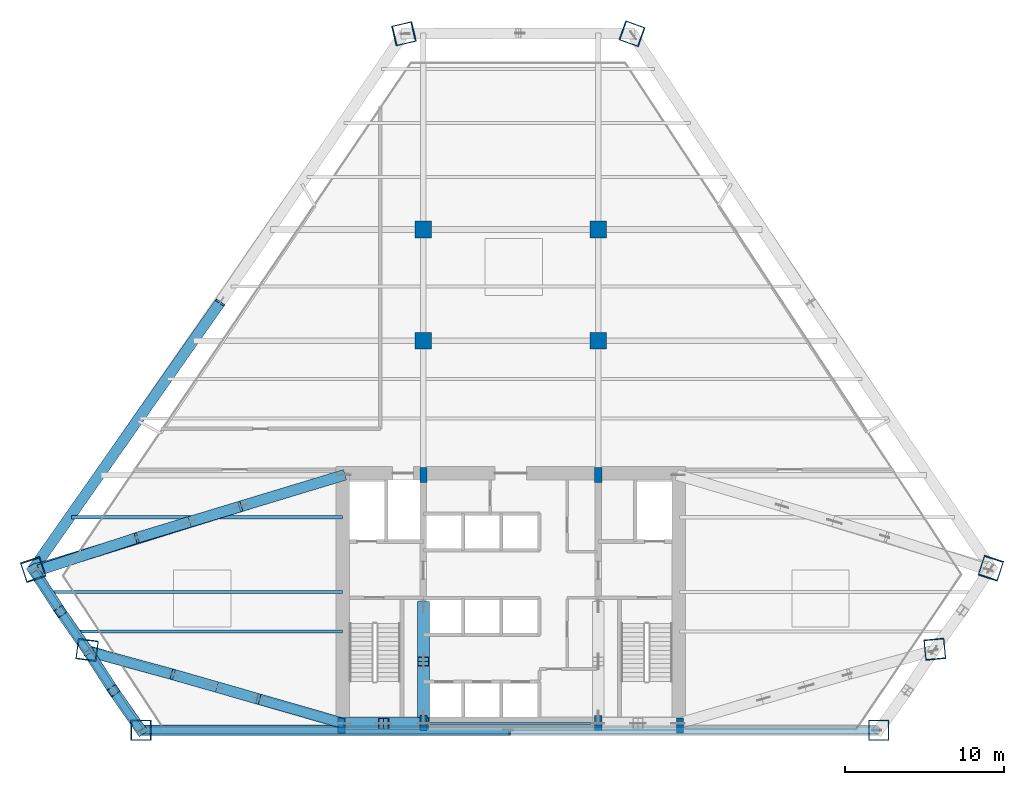
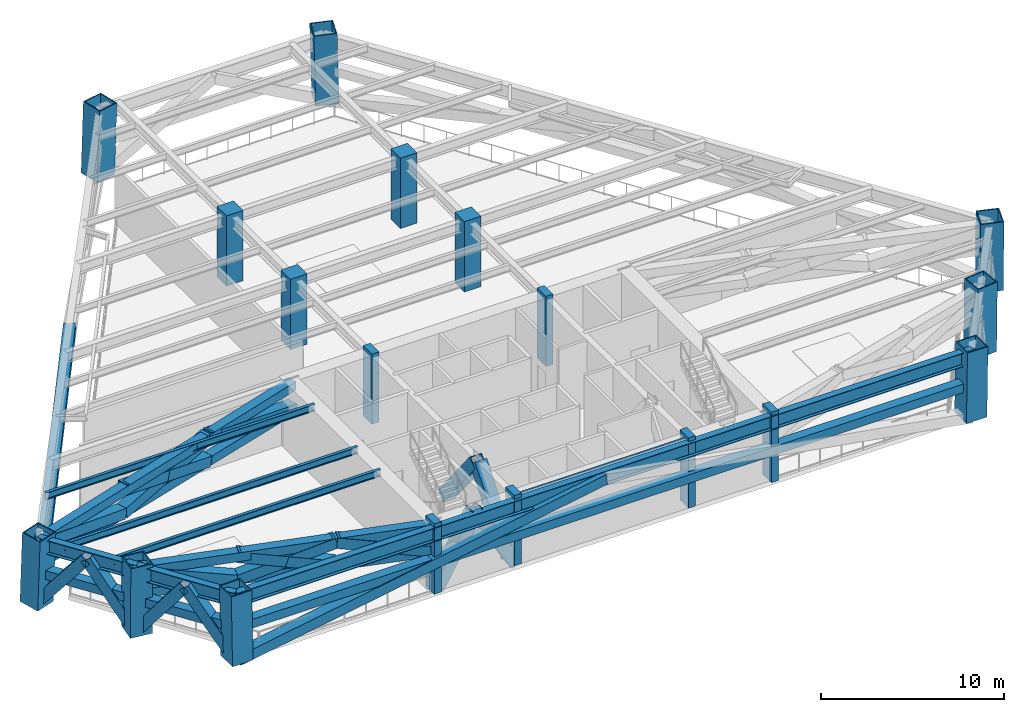
# One storey, part 1 of 10: 27 members, 18 columns, 7 beams.
"""IFC4 building model written with IfcOpenShell, lengths in metres."""

from ifc_helpers import new_model, si_unit, direction, frame, origin, origin_2d, place, context, subcontext, project, spatial, rectangle, hollow_rectangle, i_section, extrude, source, transform, mapped, material, material_profile, profile_set, type_object, type_shapes, element, save


model = new_model("IFC4")

# Units and contexts
model_context = context("Model", 3, precision=1e-05, world=origin(), true_north=direction((0.0, 1.0)))
body_context = subcontext(model_context, "Body", "Model", "MODEL_VIEW")
ifc_project = project(units=[si_unit("LENGTHUNIT", "METRE"), si_unit("AREAUNIT", "SQUARE_METRE"), si_unit("VOLUMEUNIT", "CUBIC_METRE"), si_unit("PLANEANGLEUNIT", "RADIAN"), si_unit("MASSUNIT", "GRAM", prefix="KILO")], contexts=[model_context])

# Site, building, storey
site_placement = place(None, origin())
site = spatial("IfcSite", under=ifc_project, at=site_placement, CompositionType="ELEMENT")
building_placement = place(site_placement, origin())
building = spatial("IfcBuilding", under=site, at=building_placement, Name="Varnakhor Terracotta Tower", CompositionType="ELEMENT")
storey_placement = place(building_placement, frame((0.0, 0.0, 71.89990234375)))
storey = spatial("IfcBuildingStorey", under=building, at=storey_placement, Name="L17", CompositionType="ELEMENT", Elevation=71.89990234375)

# Columns
ifc_material_1 = material(Name="Concrete C50/60", Category="concrete")
ifc_material_profile_1 = material_profile(ifc_material_1, rectangle(XDim=0.449951171875, YDim=0.949951171875, at=origin_2d()), Name="RC PILASTER 950x450")
ifc_profile_set_1 = profile_set([ifc_material_profile_1], Name="Concrete C50/60")
column_type_1 = type_object("IfcColumnType", Name="COL-PIL-950x450", PredefinedType="PILASTER", material=ifc_profile_set_1)
shared_shape_1 = source(origin(), body_context, "Body", "SweptSolid", [
    extrude(rectangle(XDim=0.449951171875, YDim=0.949951171875, at=origin_2d()), origin(), (0.0, 0.0, 1.0), 4.7001953125),
])
for number, where, z_axis, x_axis, name in (
    (1, (-10.64990234375, 0.300048828125, 0.0), (0.0, 0.0, 1.0), (1.0, 0.0, 0.0), "L17 Core Pilaster CP1"),
    (2, (-5.5, 0.449951171875, 0.0), (0.0, 0.0, 1.0), (1.0, 0.0, 0.0), "L17 Core Pilaster CP2"),
    (3, (5.5, 0.449951171875, 0.0), (0.0, 0.0, 1.0), (1.0, 0.0, 0.0), "L17 Core Pilaster CP3"),
    (4, (10.64990234375, 0.300048828125, 0.0), (0.0, 0.0, 1.0), (1.0, 0.0, 0.0), "L17 Core Pilaster CP4"),
    (5, (-5.5, 16.050048828125, 0.0), (0.0, 0.0, 1.0), (1.0, 0.0, 0.0), "L17 Core Pilaster CP5"),
    (6, (5.5, 16.050048828125, 0.0), (0.0, 0.0, 1.0), (1.0, 0.0, 0.0), "L17 Core Pilaster CP6"),
):
    element("IfcColumn", number, at=place(storey_placement, frame(where, z_axis=z_axis, x_axis=x_axis)), inside=storey, type_object=column_type_1, Name=name, PredefinedType="PILASTER", context=body_context, shape_type="MappedRepresentation", body=[
        mapped(shared_shape_1, transform((0.0, 0.0, 0.0), scale=1.0)),
    ])
ifc_material_2 = material(Name="Steel S460", Category="steel")
ifc_material_profile_2 = material_profile(ifc_material_2, hollow_rectangle(XDim=1.300048828125, YDim=1.300048828125, WallThickness=0.06494140625, at=origin_2d()), Name="BOX 1300x1300x65")
ifc_profile_set_2 = profile_set([ifc_material_profile_2], Name="Steel S460")
column_type_2 = type_object("IfcColumnType", Name="COL-MEGA-1300", PredefinedType="COLUMN", material=ifc_profile_set_2)
shared_shape_2 = source(origin(), body_context, "Body", "SweptSolid", [
    extrude(hollow_rectangle(XDim=1.300048828125, YDim=1.300048828125, WallThickness=0.06494140625, at=origin_2d()), origin(), (0.0, 0.0, 1.0), 4.692138671875),
])
for number, where, z_axis, x_axis, name in (
    (7, (-23.248291015625, 0.0, 0.00439453125), (-0.016182310418, 0.0, 0.999869057842), (0.0, -1.0, 0.0), "L17 Perimeter Mega-Column M1"),
    (8, (26.66796875, 5.105224609375, 0.00439453125), (0.001560990035, -0.016286329365, 0.999866150435), (0.995438117406, 0.095409404224, 0.0), "L17 Perimeter Mega-Column M3"),
    (9, (-26.649169921875, 5.063720703125, 0.00439453125), (-0.002341444744, -0.017222626898, 0.99984893797), (0.990884737066, -0.134712426489, 0.0), "L17 Perimeter Mega-Column M8"),
):
    element("IfcColumn", number, at=place(storey_placement, frame(where, z_axis=z_axis, x_axis=x_axis)), inside=storey, type_object=column_type_2, Name=name, PredefinedType="COLUMN", context=body_context, shape_type="MappedRepresentation", body=[
        mapped(shared_shape_2, transform((0.0, 0.0, 0.0), scale=1.0)),
    ])
shared_shape_3 = source(origin(), body_context, "Body", "SweptSolid", [
    extrude(hollow_rectangle(XDim=1.300048828125, YDim=1.300048828125, WallThickness=0.06494140625, at=origin_2d()), origin(), (0.0, 0.0, 1.0), 4.69189453125),
])
column_1_placement = place(storey_placement, frame((23.135009765625, 0.0, 0.00439453125), z_axis=(0.01373725483, 0.0, 0.999905639463), x_axis=(0.0, 1.0, 0.0)))
element("IfcColumn", 10, at=column_1_placement, inside=storey, type_object=column_type_2, Name="L17 Perimeter Mega-Column M2", PredefinedType="COLUMN", context=body_context, shape_type="MappedRepresentation", body=[
    mapped(shared_shape_3, transform((0.0, 0.0, 0.0), scale=1.0)),
])
shared_shape_4 = source(origin(), body_context, "Body", "SweptSolid", [
    extrude(hollow_rectangle(XDim=1.300048828125, YDim=1.300048828125, WallThickness=0.06494140625, at=origin_2d()), origin(), (0.0, 0.0, 1.0), 4.694091796875),
])
column_2_placement = place(storey_placement, frame((30.20068359375, 10.210205078125, 0.00439453125), z_axis=(-0.010609927191, -0.032557913833, 0.999413533875), x_axis=(0.950788214242, -0.309841526686, 0.0)))
element("IfcColumn", 11, at=column_2_placement, inside=storey, type_object=column_type_2, Name="L17 Perimeter Mega-Column M4", PredefinedType="COLUMN", context=body_context, shape_type="MappedRepresentation", body=[
    mapped(shared_shape_4, transform((0.0, 0.0, 0.0), scale=1.0)),
])
shared_shape_5 = source(origin(), body_context, "Body", "SweptSolid", [
    extrude(hollow_rectangle(XDim=1.300048828125, YDim=1.300048828125, WallThickness=0.06494140625, at=origin_2d()), origin(), (0.0, 0.0, 1.0), 4.69287109375),
])
column_3_placement = place(storey_placement, frame((7.637451171875, 43.8056640625, 0.00439453125), z_axis=(-0.022682840293, 0.008115878637, 0.999709768518), x_axis=(-0.336883546352, -0.941546321854, 0.0)))
element("IfcColumn", 12, at=column_3_placement, inside=storey, type_object=column_type_2, Name="L17 Perimeter Mega-Column M5", PredefinedType="COLUMN", context=body_context, shape_type="MappedRepresentation", body=[
    mapped(shared_shape_5, transform((0.0, 0.0, 0.0), scale=1.0)),
])
shared_shape_6 = source(origin(), body_context, "Body", "SweptSolid", [
    extrude(hollow_rectangle(XDim=1.300048828125, YDim=1.300048828125, WallThickness=0.06494140625, at=origin_2d()), origin(), (0.0, 0.0, 1.0), 4.6943359375),
])
column_4_placement = place(storey_placement, frame((-6.743896484375, 43.8056640625, 0.00439453125), z_axis=(0.03489639991, 0.00811302293, 0.999358003987), x_axis=(-0.226449442086, 0.974022920767, 0.0)))
element("IfcColumn", 13, at=column_4_placement, inside=storey, type_object=column_type_2, Name="L17 Perimeter Mega-Column M6", PredefinedType="COLUMN", context=body_context, shape_type="MappedRepresentation", body=[
    mapped(shared_shape_6, transform((0.0, 0.0, 0.0), scale=1.0)),
])
shared_shape_7 = source(origin(), body_context, "Body", "SweptSolid", [
    extrude(hollow_rectangle(XDim=1.300048828125, YDim=1.300048828125, WallThickness=0.06494140625, at=origin_2d()), origin(), (0.0, 0.0, 1.0), 4.694580078125),
])
column_5_placement = place(storey_placement, frame((-30.0498046875, 10.127197265625, 0.00439453125), z_axis=(0.011441276358, -0.034375834876, 0.999343484079), x_axis=(0.94882674445, 0.315797101027, 0.0)))
element("IfcColumn", 14, at=column_5_placement, inside=storey, type_object=column_type_2, Name="L17 Perimeter Mega-Column M7", PredefinedType="COLUMN", context=body_context, shape_type="MappedRepresentation", body=[
    mapped(shared_shape_7, transform((0.0, 0.0, 0.0), scale=1.0)),
])
ifc_material_3 = material(Name="Concrete C60/75", Category="concrete")
ifc_material_profile_3 = material_profile(ifc_material_3, rectangle(XDim=1.050048828125, YDim=1.050048828125, at=origin_2d()), Name="RC 1050x1050")
ifc_profile_set_3 = profile_set([ifc_material_profile_3], Name="Concrete C60/75")
column_type_3 = type_object("IfcColumnType", Name="COL-RC-1050", PredefinedType="COLUMN", material=ifc_profile_set_3)
shared_shape_8 = source(origin(), body_context, "Body", "SweptSolid", [
    extrude(rectangle(XDim=1.050048828125, YDim=1.050048828125, at=origin_2d()), origin(), (0.0, 0.0, 1.0), 4.7001953125),
])
for number, where, z_axis, x_axis, name in (
    (15, (-5.5, 24.5, 0.0), (0.0, 0.0, 1.0), (1.0, 0.0, 0.0), "L17 Interior Tower Column IC1"),
    (16, (5.5, 24.5, 0.0), (0.0, 0.0, 1.0), (1.0, 0.0, 0.0), "L17 Interior Tower Column IC2"),
    (17, (-5.5, 31.5, 0.0), (0.0, 0.0, 1.0), (1.0, 0.0, 0.0), "L17 Interior Tower Column IC3"),
    (18, (5.5, 31.5, 0.0), (0.0, 0.0, 1.0), (1.0, 0.0, 0.0), "L17 Interior Tower Column IC4"),
):
    element("IfcColumn", number, at=place(storey_placement, frame(where, z_axis=z_axis, x_axis=x_axis)), inside=storey, type_object=column_type_3, Name=name, PredefinedType="COLUMN", context=body_context, shape_type="MappedRepresentation", body=[
        mapped(shared_shape_8, transform((0.0, 0.0, 0.0), scale=1.0)),
    ])

# Beams
ifc_material_4 = material(Name="Steel S355", Category="steel")
ifc_material_profile_4 = material_profile(ifc_material_4, i_section(OverallWidth=0.1201171875, OverallDepth=0.239990234375, WebThickness=0.006103515625, FlangeThickness=0.009765625, FilletRadius=0.01806640625, at=origin_2d()), Name="IPE240")
ifc_profile_set_4 = profile_set([ifc_material_profile_4], Name="Steel S355")
beam_type_1 = type_object("IfcBeamType", Name="LNT-IPE240", PredefinedType="LINTEL", material=ifc_profile_set_4)
shared_shape_9 = source(origin(), body_context, "Body", "SweptSolid", [
    extrude(i_section(OverallWidth=0.1201171875, OverallDepth=0.239990234375, WebThickness=0.006103515625, FlangeThickness=0.009765625, FilletRadius=0.01806640625, at=origin_2d()), origin(), (0.0, 0.0, 1.0), 11.0),
])
type_shapes(beam_type_1, [shared_shape_9])
beam_1_placement = place(storey_placement, frame((-5.5, 0.419921875, 4.330078125), z_axis=(1.0, 0.0, 0.0), x_axis=(0.0, 1.0, 0.0)))
element("IfcBeam", 19, at=beam_1_placement, inside=storey, type_object=beam_type_1, Name="L17 Core South Coupling Lintel", PredefinedType="LINTEL", context=body_context, shape_type="MappedRepresentation", body=[
    mapped(shared_shape_9, transform((0.0, 0.0, 0.0), scale=1.0)),
])
ifc_material_profile_5 = material_profile(ifc_material_4, i_section(OverallWidth=0.41796875, OverallDepth=0.927001953125, WebThickness=0.01904296875, FlangeThickness=0.031982421875, FilletRadius=0.01806640625, at=origin_2d()), Name="W36X231")
ifc_profile_set_5 = profile_set([ifc_material_profile_5], Name="Steel S355")
beam_type_2 = type_object("IfcBeamType", Name="BM-W36X231", PredefinedType="BEAM", material=ifc_profile_set_5)
shared_shape_10 = source(origin(), body_context, "Body", "SweptSolid", [
    extrude(i_section(OverallWidth=0.41796875, OverallDepth=0.927001953125, WebThickness=0.01904296875, FlangeThickness=0.031982421875, FilletRadius=0.01806640625, at=origin_2d()), origin(), (0.0, 0.0, 1.0), 46.523681640625),
])
beam_2_placement = place(storey_placement, frame((-23.32421875, 0.0, 3.986572265625), z_axis=(1.0, 0.0, 0.0), x_axis=(0.0, 1.0, 0.0)))
element("IfcBeam", 20, at=beam_2_placement, inside=storey, type_object=beam_type_2, Name="L17 Perimeter Spandrel 1", PredefinedType="BEAM", context=body_context, shape_type="MappedRepresentation", body=[
    mapped(shared_shape_10, transform((0.0, 0.0, 0.0), scale=1.0)),
])
shared_shape_11 = source(origin(), body_context, "Body", "SweptSolid", [
    extrude(i_section(OverallWidth=0.41796875, OverallDepth=0.927001953125, WebThickness=0.01904296875, FlangeThickness=0.031982421875, FilletRadius=0.01806640625, at=origin_2d()), origin(), (0.0, 0.0, 1.0), 5.99658203125),
])
for number, where, z_axis, x_axis, name in (
    (21, (-29.99609375, 9.9658203125, 3.986572265625), (0.556315179947, -0.830971371686, 0.0), (0.830971371686, 0.556315179947, 0.0), "L17 Perimeter Spandrel 7"),
    (22, (-26.66015625, 4.98291015625, 3.986572265625), (0.556315179947, -0.830971371686, 0.0), (0.830971371686, 0.556315179947, 0.0), "L17 Perimeter Spandrel 8"),
):
    element("IfcBeam", number, at=place(storey_placement, frame(where, z_axis=z_axis, x_axis=x_axis)), inside=storey, type_object=beam_type_2, Name=name, PredefinedType="BEAM", context=body_context, shape_type="MappedRepresentation", body=[
        mapped(shared_shape_11, transform((0.0, 0.0, 0.0), scale=1.0)),
    ])
ifc_material_profile_6 = material_profile(ifc_material_4, i_section(OverallWidth=0.19189453125, OverallDepth=0.462890625, WebThickness=0.010498046875, FlangeThickness=0.017578125, FilletRadius=0.01806640625, at=origin_2d()), Name="W18X60")
ifc_profile_set_6 = profile_set([ifc_material_profile_6], Name="Steel S355")
beam_type_3 = type_object("IfcBeamType", Name="JST-W18X60", PredefinedType="JOIST", material=ifc_profile_set_6)
shared_shape_12 = source(origin(), body_context, "Body", "SweptSolid", [
    extrude(i_section(OverallWidth=0.19189453125, OverallDepth=0.462890625, WebThickness=0.010498046875, FlangeThickness=0.017578125, FilletRadius=0.01806640625, at=origin_2d()), origin(), (0.0, 0.0, 1.0), 16.875),
])
beam_3_placement = place(storey_placement, frame((-27.47509765625, 6.199951171875, 4.218505859375), z_axis=(1.0, 0.0, 0.0), x_axis=(0.0, 1.0, 0.0)))
element("IfcBeam", 23, at=beam_3_placement, inside=storey, type_object=beam_type_3, Name="L17 Floor Joist W1", PredefinedType="JOIST", context=body_context, shape_type="MappedRepresentation", body=[
    mapped(shared_shape_12, transform((0.0, 0.0, 0.0), scale=1.0)),
])
shared_shape_13 = source(origin(), body_context, "Body", "SweptSolid", [
    extrude(i_section(OverallWidth=0.19189453125, OverallDepth=0.462890625, WebThickness=0.010498046875, FlangeThickness=0.017578125, FilletRadius=0.01806640625, at=origin_2d()), origin(), (0.0, 0.0, 1.0), 18.548583984375),
])
beam_4_placement = place(storey_placement, frame((-29.148681640625, 8.699951171875, 4.218505859375), z_axis=(1.0, 0.0, 0.0), x_axis=(0.0, 1.0, 0.0)))
element("IfcBeam", 24, at=beam_4_placement, inside=storey, type_object=beam_type_3, Name="L17 Floor Joist W2", PredefinedType="JOIST", context=body_context, shape_type="MappedRepresentation", body=[
    mapped(shared_shape_13, transform((0.0, 0.0, 0.0), scale=1.0)),
])
shared_shape_14 = source(origin(), body_context, "Body", "SweptSolid", [
    extrude(i_section(OverallWidth=0.19189453125, OverallDepth=0.462890625, WebThickness=0.010498046875, FlangeThickness=0.017578125, FilletRadius=0.01806640625, at=origin_2d()), origin(), (0.0, 0.0, 1.0), 17.0224609375),
])
beam_5_placement = place(storey_placement, frame((-27.62255859375, 13.39990234375, 4.218505859375), z_axis=(1.0, 0.0, 0.0), x_axis=(0.0, 1.0, 0.0)))
element("IfcBeam", 25, at=beam_5_placement, inside=storey, type_object=beam_type_3, Name="L17 Floor Joist W3", PredefinedType="JOIST", context=body_context, shape_type="MappedRepresentation", body=[
    mapped(shared_shape_14, transform((0.0, 0.0, 0.0), scale=1.0)),
])

# Members
ifc_material_profile_7 = material_profile(ifc_material_2, hollow_rectangle(XDim=0.75, YDim=0.75, WallThickness=0.044921875, at=origin_2d()), Name="HSS750X750X45")
ifc_profile_set_7 = profile_set([ifc_material_profile_7], Name="Steel S460")
member_type_1 = type_object("IfcMemberType", Name="MBR-MEGA-750", PredefinedType="BRACE", material=ifc_profile_set_7)
shared_shape_15 = source(origin(), body_context, "Body", "SweptSolid", [
    extrude(hollow_rectangle(XDim=0.75, YDim=0.75, WallThickness=0.044921875, at=origin_2d()), origin(), (0.0, 0.0, 1.0), 4.973876953125),
])
for number, where, z_axis, x_axis, name in (
    (26, (-10.5, 0.419921875, 0.0), (0.502616191816, 0.0, 0.864509666646), (0.0, 1.0, 0.0), "L17 Core Coupled Brace CSWA"),
    (27, (-5.5, 0.419921875, 0.0), (-0.502616191816, 0.0, 0.864509666646), (0.0, -1.0, 0.0), "L17 Core Coupled Brace CSWB"),
):
    element("IfcMember", number, at=place(storey_placement, frame(where, z_axis=z_axis, x_axis=x_axis)), inside=storey, type_object=member_type_1, Name=name, PredefinedType="BRACE", context=body_context, shape_type="MappedRepresentation", body=[
        mapped(shared_shape_15, transform((0.0, 0.0, 0.0), scale=1.0)),
    ])
shared_shape_16 = source(origin(), body_context, "Body", "SweptSolid", [
    extrude(hollow_rectangle(XDim=0.75, YDim=0.75, WallThickness=0.044921875, at=origin_2d()), origin(), (0.0, 0.0, 1.0), 5.528564453125),
])
member_1_placement = place(storey_placement, frame((-5.5, 0.85009765625, 0.0), z_axis=(0.0, 0.628527248489, 0.777787566053), x_axis=(-1.0, 0.0, 0.0)))
element("IfcMember", 28, at=member_1_placement, inside=storey, type_object=member_type_1, Name="L17 Core Coupled Brace CWWA", PredefinedType="BRACE", context=body_context, shape_type="MappedRepresentation", body=[
    mapped(shared_shape_16, transform((0.0, 0.0, 0.0), scale=1.0)),
])
shared_shape_17 = source(origin(), body_context, "Body", "SweptSolid", [
    extrude(hollow_rectangle(XDim=0.75, YDim=0.75, WallThickness=0.044921875, at=origin_2d()), origin(), (0.0, 0.0, 1.0), 5.52880859375),
])
member_2_placement = place(storey_placement, frame((-5.5, 7.800048828125, 0.0), z_axis=(0.0, -0.628553962037, 0.777765978176), x_axis=(1.0, 0.0, 0.0)))
element("IfcMember", 29, at=member_2_placement, inside=storey, type_object=member_type_1, Name="L17 Core Coupled Brace CWWB", PredefinedType="BRACE", context=body_context, shape_type="MappedRepresentation", body=[
    mapped(shared_shape_17, transform((0.0, 0.0, 0.0), scale=1.0)),
])
ifc_material_profile_8 = material_profile(ifc_material_2, hollow_rectangle(XDim=0.679931640625, YDim=0.679931640625, WallThickness=0.048095703125, at=origin_2d()), Name="HSS680X680X48")
ifc_profile_set_8 = profile_set([ifc_material_profile_8], Name="Steel S460")
member_type_2 = type_object("IfcMemberType", Name="MBR-OUTRIGGER-680", PredefinedType="BRACE", material=ifc_profile_set_8)
shared_shape_18 = source(origin(), body_context, "Body", "SweptSolid", [
    extrude(hollow_rectangle(XDim=0.679931640625, YDim=0.679931640625, WallThickness=0.048095703125, at=origin_2d()), origin(), (0.0, 0.0, 1.0), 23.5263671875),
])
type_shapes(member_type_2, [shared_shape_18])
member_3_placement = place(storey_placement, frame((-23.248291015625, 0.0, 0.0), z_axis=(0.985538440154, 0.0, 0.16945200789), x_axis=(0.0, 1.0, 0.0)))
element("IfcMember", 30, at=member_3_placement, inside=storey, type_object=member_type_2, Name="L17 Belt-Truss Diagonal S1A", PredefinedType="BRACE", context=body_context, shape_type="MappedRepresentation", body=[
    mapped(shared_shape_18, transform((0.0, 0.0, 0.0), scale=1.0)),
])
ifc_material_profile_9 = material_profile(ifc_material_2, hollow_rectangle(XDim=0.580078125, YDim=0.580078125, WallThickness=0.0380859375, at=origin_2d()), Name="HSS580X580X38")
ifc_profile_set_9 = profile_set([ifc_material_profile_9], Name="Steel S460")
member_type_3 = type_object("IfcMemberType", Name="MBR-BELT-CHORD-580", PredefinedType="CHORD", material=ifc_profile_set_9)
shared_shape_19 = source(origin(), body_context, "Body", "SweptSolid", [
    extrude(hollow_rectangle(XDim=0.580078125, YDim=0.580078125, WallThickness=0.0380859375, at=origin_2d()), origin(), (0.0, 0.0, 1.0), 46.38330078125),
])
type_shapes(member_type_3, [shared_shape_19])
member_4_placement = place(storey_placement, frame((-23.248291015625, 0.0, 2.150146484375), z_axis=(1.0, 0.0, 0.0), x_axis=(0.0, 1.0, 0.0)))
element("IfcMember", 31, at=member_4_placement, inside=storey, type_object=member_type_3, Name="L17 Belt-Truss Bottom Chord S1", PredefinedType="CHORD", context=body_context, shape_type="MappedRepresentation", body=[
    mapped(shared_shape_19, transform((0.0, 0.0, 0.0), scale=1.0)),
])
shared_shape_20 = source(origin(), body_context, "Body", "SweptSolid", [
    extrude(hollow_rectangle(XDim=0.679931640625, YDim=0.679931640625, WallThickness=0.048095703125, at=origin_2d()), origin(), (0.0, 0.0, 1.0), 20.873779296875),
])
member_5_placement = place(storey_placement, frame((-30.0498046875, 10.127197265625, 0.0), z_axis=(0.563466263966, 0.803760485013, 0.190983905353), x_axis=(-0.818832598917, 0.574032381447, 0.0)))
element("IfcMember", 32, at=member_5_placement, inside=storey, type_object=member_type_2, Name="L17 Belt-Truss Diagonal NWB", PredefinedType="BRACE", context=body_context, shape_type="MappedRepresentation", body=[
    mapped(shared_shape_20, transform((0.0, 0.0, 0.0), scale=1.0)),
])
shared_shape_21 = source(origin(), body_context, "Body", "SweptSolid", [
    extrude(hollow_rectangle(XDim=0.679931640625, YDim=0.679931640625, WallThickness=0.048095703125, at=origin_2d()), origin(), (0.0, 0.0, 1.0), 5.088623046875),
])
member_6_placement = place(storey_placement, frame((-30.0498046875, 10.127197265625, 0.0), z_axis=(0.338336576165, -0.521322353461, 0.783422851984), x_axis=(0.83882790268, 0.544396684125, 0.0)))
element("IfcMember", 33, at=member_6_placement, inside=storey, type_object=member_type_2, Name="L17 Belt-Truss Diagonal W1A", PredefinedType="BRACE", context=body_context, shape_type="MappedRepresentation", body=[
    mapped(shared_shape_21, transform((0.0, 0.0, 0.0), scale=1.0)),
])
shared_shape_22 = source(origin(), body_context, "Body", "SweptSolid", [
    extrude(hollow_rectangle(XDim=0.679931640625, YDim=0.679931640625, WallThickness=0.048095703125, at=origin_2d()), origin(), (0.0, 0.0, 1.0), 4.9521484375),
])
member_7_placement = place(storey_placement, frame((-26.649169921875, 5.063720703125, 0.0), z_axis=(-0.339042042416, 0.486796732124, 0.805033809891), x_axis=(-0.820588320021, -0.571519736357, 0.0)))
element("IfcMember", 34, at=member_7_placement, inside=storey, type_object=member_type_2, Name="L17 Belt-Truss Diagonal W1B", PredefinedType="BRACE", context=body_context, shape_type="MappedRepresentation", body=[
    mapped(shared_shape_22, transform((0.0, 0.0, 0.0), scale=1.0)),
])
shared_shape_23 = source(origin(), body_context, "Body", "SweptSolid", [
    extrude(hollow_rectangle(XDim=0.580078125, YDim=0.580078125, WallThickness=0.0380859375, at=origin_2d()), origin(), (0.0, 0.0, 1.0), 6.099365234375),
])
member_8_placement = place(storey_placement, frame((-30.0498046875, 10.127197265625, 2.150146484375), z_axis=(0.557532716561, -0.83015496744, 0.0), x_axis=(0.83015496744, 0.557532716561, 0.0)))
element("IfcMember", 35, at=member_8_placement, inside=storey, type_object=member_type_3, Name="L17 Belt-Truss Bottom Chord W1", PredefinedType="CHORD", context=body_context, shape_type="MappedRepresentation", body=[
    mapped(shared_shape_23, transform((0.0, 0.0, 0.0), scale=1.0)),
])
shared_shape_24 = source(origin(), body_context, "Body", "SweptSolid", [
    extrude(hollow_rectangle(XDim=0.679931640625, YDim=0.679931640625, WallThickness=0.048095703125, at=origin_2d()), origin(), (0.0, 0.0, 1.0), 5.025390625),
])
member_9_placement = place(storey_placement, frame((-26.649169921875, 5.063720703125, 0.0), z_axis=(0.329719838066, -0.511850333559, 0.79328057106), x_axis=(0.840675170686, 0.541539709894, 0.0)))
element("IfcMember", 36, at=member_9_placement, inside=storey, type_object=member_type_2, Name="L17 Belt-Truss Diagonal W2A", PredefinedType="BRACE", context=body_context, shape_type="MappedRepresentation", body=[
    mapped(shared_shape_24, transform((0.0, 0.0, 0.0), scale=1.0)),
])
shared_shape_25 = source(origin(), body_context, "Body", "SweptSolid", [
    extrude(hollow_rectangle(XDim=0.679931640625, YDim=0.679931640625, WallThickness=0.048095703125, at=origin_2d()), origin(), (0.0, 0.0, 1.0), 5.01416015625),
])
member_10_placement = place(storey_placement, frame((-23.248291015625, 0.0, 0.0), z_axis=(-0.347797931172, 0.496888966486, 0.795071037114), x_axis=(-0.819250777642, -0.573435404674, 0.0)))
element("IfcMember", 37, at=member_10_placement, inside=storey, type_object=member_type_2, Name="L17 Belt-Truss Diagonal W2B", PredefinedType="BRACE", context=body_context, shape_type="MappedRepresentation", body=[
    mapped(shared_shape_25, transform((0.0, 0.0, 0.0), scale=1.0)),
])
shared_shape_26 = source(origin(), body_context, "Body", "SweptSolid", [
    extrude(hollow_rectangle(XDim=0.580078125, YDim=0.580078125, WallThickness=0.0380859375, at=origin_2d()), origin(), (0.0, 0.0, 1.0), 6.099853515625),
])
member_11_placement = place(storey_placement, frame((-26.649169921875, 5.063720703125, 2.150146484375), z_axis=(0.557541774829, -0.830148883828, 0.0), x_axis=(0.830148883828, 0.557541774829, 0.0)))
element("IfcMember", 38, at=member_11_placement, inside=storey, type_object=member_type_3, Name="L17 Belt-Truss Bottom Chord W2", PredefinedType="CHORD", context=body_context, shape_type="MappedRepresentation", body=[
    mapped(shared_shape_26, transform((0.0, 0.0, 0.0), scale=1.0)),
])
shared_shape_27 = source(origin(), body_context, "Body", "SweptSolid", [
    extrude(hollow_rectangle(XDim=0.580078125, YDim=0.580078125, WallThickness=0.0380859375, at=origin_2d()), origin(), (0.0, 0.0, 1.0), 16.803466796875),
])
member_12_placement = place(storey_placement, frame((-10.5, 0.419921875, 2.550048828125), z_axis=(-0.96105488258, 0.276357581168, 0.0), x_axis=(-0.276357581168, -0.96105488258, 0.0)))
element("IfcMember", 39, at=member_12_placement, inside=storey, type_object=member_type_3, Name="L17 Outrigger Bottom Chord OW1", PredefinedType="CHORD", context=body_context, shape_type="MappedRepresentation", body=[
    mapped(shared_shape_27, transform((0.0, 0.0, 0.0), scale=1.0)),
])
shared_shape_28 = source(origin(), body_context, "Body", "SweptSolid", [
    extrude(hollow_rectangle(XDim=0.580078125, YDim=0.580078125, WallThickness=0.0380859375, at=origin_2d()), origin(), (0.0, 0.0, 1.0), 16.7919921875),
])
member_13_placement = place(storey_placement, frame((-10.5, 0.419921875, 4.10009765625), z_axis=(-0.962371911692, 0.271735723796, 0.0), x_axis=(-0.271735723796, -0.962371911692, 0.0)))
element("IfcMember", 40, at=member_13_placement, inside=storey, type_object=member_type_3, Name="L17 Outrigger Top Chord OW1", PredefinedType="CHORD", context=body_context, shape_type="MappedRepresentation", body=[
    mapped(shared_shape_28, transform((0.0, 0.0, 0.0), scale=1.0)),
])
shared_shape_29 = source(origin(), body_context, "Body", "SweptSolid", [
    extrude(hollow_rectangle(XDim=0.679931640625, YDim=0.679931640625, WallThickness=0.048095703125, at=origin_2d()), origin(), (0.0, 0.0, 1.0), 5.811767578125),
])
member_14_placement = place(storey_placement, frame((-10.5, 0.419921875, 2.550048828125), z_axis=(-0.926235244657, 0.266372973213, 0.266709037522), x_axis=(-0.276384419727, -0.961047164572, 0.0)))
element("IfcMember", 41, at=member_14_placement, inside=storey, type_object=member_type_2, Name="L17 Outrigger Web Diagonal OW1-1", PredefinedType="BRACE", context=body_context, shape_type="MappedRepresentation", body=[
    mapped(shared_shape_29, transform((0.0, 0.0, 0.0), scale=1.0)),
])
shared_shape_30 = source(origin(), body_context, "Body", "SweptSolid", [
    extrude(hollow_rectangle(XDim=0.679931640625, YDim=0.679931640625, WallThickness=0.048095703125, at=origin_2d()), origin(), (0.0, 0.0, 1.0), 5.8115234375),
])
member_15_placement = place(storey_placement, frame((-15.883056640625, 1.968017578125, 4.10009765625), z_axis=(-0.92625597087, 0.266294915839, -0.266715005626), x_axis=(-0.276303902113, -0.961070316719, 0.0)))
element("IfcMember", 42, at=member_15_placement, inside=storey, type_object=member_type_2, Name="L17 Outrigger Continuous X-Diagonal OW1-2", PredefinedType="BRACE", context=body_context, shape_type="MappedRepresentation", body=[
    mapped(shared_shape_30, transform((0.0, 0.0, 0.0), scale=1.0)),
])
shared_shape_31 = source(origin(), body_context, "Body", "SweptSolid", [
    extrude(hollow_rectangle(XDim=0.679931640625, YDim=0.679931640625, WallThickness=0.048095703125, at=origin_2d()), origin(), (0.0, 0.0, 1.0), 2.906005859375),
])
member_16_placement = place(storey_placement, frame((-15.883056640625, 1.968017578125, 2.550048828125), z_axis=(-0.926261919912, 0.266242541878, 0.266746629997), x_axis=(-0.276252068331, -0.961085217212, 0.0)))
element("IfcMember", 43, at=member_16_placement, inside=storey, type_object=member_type_2, Name="L17 Outrigger Split X-Diagonal OW1-3A", PredefinedType="BRACE", context=body_context, shape_type="MappedRepresentation", body=[
    mapped(shared_shape_31, transform((0.0, 0.0, 0.0), scale=1.0)),
])
shared_shape_32 = source(origin(), body_context, "Body", "SweptSolid", [
    extrude(hollow_rectangle(XDim=0.679931640625, YDim=0.679931640625, WallThickness=0.048095703125, at=origin_2d()), origin(), (0.0, 0.0, 1.0), 2.90576171875),
])
member_17_placement = place(storey_placement, frame((-18.57470703125, 2.74169921875, 3.3251953125), z_axis=(-0.926250017864, 0.266347292873, 0.266683377785), x_axis=(-0.276355738185, -0.96105541254, 0.0)))
element("IfcMember", 44, at=member_17_placement, inside=storey, type_object=member_type_2, Name="L17 Outrigger Split X-Diagonal OW1-3B", PredefinedType="BRACE", context=body_context, shape_type="MappedRepresentation", body=[
    mapped(shared_shape_32, transform((0.0, 0.0, 0.0), scale=1.0)),
])
shared_shape_33 = source(origin(), body_context, "Body", "SweptSolid", [
    extrude(hollow_rectangle(XDim=0.679931640625, YDim=0.679931640625, WallThickness=0.048095703125, at=origin_2d()), origin(), (0.0, 0.0, 1.0), 5.801025390625),
])
member_18_placement = place(storey_placement, frame((-21.26611328125, 3.515625, 2.550048828125), z_axis=(-0.929851571153, 0.252937808574, 0.267205016079), x_axis=(-0.262481721632, -0.964936964682, 0.0)))
element("IfcMember", 45, at=member_18_placement, inside=storey, type_object=member_type_2, Name="L17 Outrigger Web Diagonal OW1-4", PredefinedType="BRACE", context=body_context, shape_type="MappedRepresentation", body=[
    mapped(shared_shape_33, transform((0.0, 0.0, 0.0), scale=1.0)),
])
shared_shape_34 = source(origin(), body_context, "Body", "SweptSolid", [
    extrude(hollow_rectangle(XDim=0.580078125, YDim=0.580078125, WallThickness=0.0380859375, at=origin_2d()), origin(), (0.0, 0.0, 1.0), 20.42724609375),
])
member_19_placement = place(storey_placement, frame((-10.5, 16.050048828125, 2.550048828125), z_axis=(-0.957042495942, -0.289947686592, 0.0), x_axis=(0.289947686592, -0.957042495942, 0.0)))
element("IfcMember", 46, at=member_19_placement, inside=storey, type_object=member_type_3, Name="L17 Outrigger Bottom Chord OW2", PredefinedType="CHORD", context=body_context, shape_type="MappedRepresentation", body=[
    mapped(shared_shape_34, transform((0.0, 0.0, 0.0), scale=1.0)),
])
shared_shape_35 = source(origin(), body_context, "Body", "SweptSolid", [
    extrude(hollow_rectangle(XDim=0.580078125, YDim=0.580078125, WallThickness=0.0380859375, at=origin_2d()), origin(), (0.0, 0.0, 1.0), 20.42333984375),
])
member_20_placement = place(storey_placement, frame((-10.5, 16.050048828125, 4.10009765625), z_axis=(-0.954595617166, -0.297904695645, 0.0), x_axis=(0.297904695645, -0.954595617166, 0.0)))
element("IfcMember", 47, at=member_20_placement, inside=storey, type_object=member_type_3, Name="L17 Outrigger Top Chord OW2", PredefinedType="CHORD", context=body_context, shape_type="MappedRepresentation", body=[
    mapped(shared_shape_35, transform((0.0, 0.0, 0.0), scale=1.0)),
])
shared_shape_36 = source(origin(), body_context, "Body", "SweptSolid", [
    extrude(hollow_rectangle(XDim=0.679931640625, YDim=0.679931640625, WallThickness=0.048095703125, at=origin_2d()), origin(), (0.0, 0.0, 1.0), 6.9833984375),
])
member_21_placement = place(storey_placement, frame((-10.5, 16.050048828125, 2.550048828125), z_axis=(-0.933165658079, -0.2827255611, 0.221964212616), x_axis=(0.289958633439, -0.957039179393, 0.0)))
element("IfcMember", 48, at=member_21_placement, inside=storey, type_object=member_type_2, Name="L17 Outrigger Web Diagonal OW2-1", PredefinedType="BRACE", context=body_context, shape_type="MappedRepresentation", body=[
    mapped(shared_shape_36, transform((0.0, 0.0, 0.0), scale=1.0)),
])
shared_shape_37 = source(origin(), body_context, "Body", "SweptSolid", [
    extrude(hollow_rectangle(XDim=0.679931640625, YDim=0.679931640625, WallThickness=0.048095703125, at=origin_2d()), origin(), (0.0, 0.0, 1.0), 6.983154296875),
])
member_22_placement = place(storey_placement, frame((-17.0166015625, 14.07568359375, 4.10009765625), z_axis=(-0.933174881267, -0.282693394647, -0.221966406457), x_axis=(0.289925792557, -0.957049128734, 0.0)))
element("IfcMember", 49, at=member_22_placement, inside=storey, type_object=member_type_2, Name="L17 Outrigger Continuous X-Diagonal OW2-2", PredefinedType="BRACE", context=body_context, shape_type="MappedRepresentation", body=[
    mapped(shared_shape_37, transform((0.0, 0.0, 0.0), scale=1.0)),
])
shared_shape_38 = source(origin(), body_context, "Body", "SweptSolid", [
    extrude(hollow_rectangle(XDim=0.679931640625, YDim=0.679931640625, WallThickness=0.048095703125, at=origin_2d()), origin(), (0.0, 0.0, 1.0), 3.49169921875),
])
for number, where, z_axis, x_axis, name in (
    (50, (-17.0166015625, 14.07568359375, 2.550048828125), (-0.933167639219, -0.282691200762, 0.221999644427), (0.289925792557, -0.957049128734, 0.0), "L17 Outrigger Split X-Diagonal OW2-3A"),
    (51, (-20.27490234375, 13.088623046875, 3.3251953125), (-0.933182122342, -0.282695588238, 0.221933167714), (0.289925792557, -0.957049128734, 0.0), "L17 Outrigger Split X-Diagonal OW2-3B"),
):
    element("IfcMember", number, at=place(storey_placement, frame(where, z_axis=z_axis, x_axis=x_axis)), inside=storey, type_object=member_type_2, Name=name, PredefinedType="BRACE", context=body_context, shape_type="MappedRepresentation", body=[
        mapped(shared_shape_38, transform((0.0, 0.0, 0.0), scale=1.0)),
    ])
shared_shape_39 = source(origin(), body_context, "Body", "SweptSolid", [
    extrude(hollow_rectangle(XDim=0.679931640625, YDim=0.679931640625, WallThickness=0.048095703125, at=origin_2d()), origin(), (0.0, 0.0, 1.0), 6.98095703125),
])
member_23_placement = place(storey_placement, frame((-23.533203125, 12.1015625, 2.550048828125), z_axis=(-0.925795843792, -0.305940693619, 0.222041319592), x_axis=(0.313773336809, -0.949497916326, 0.0)))
element("IfcMember", 52, at=member_23_placement, inside=storey, type_object=member_type_2, Name="L17 Outrigger Web Diagonal OW2-4", PredefinedType="BRACE", context=body_context, shape_type="MappedRepresentation", body=[
    mapped(shared_shape_39, transform((0.0, 0.0, 0.0), scale=1.0)),
])

save(model, "model.ifc")
